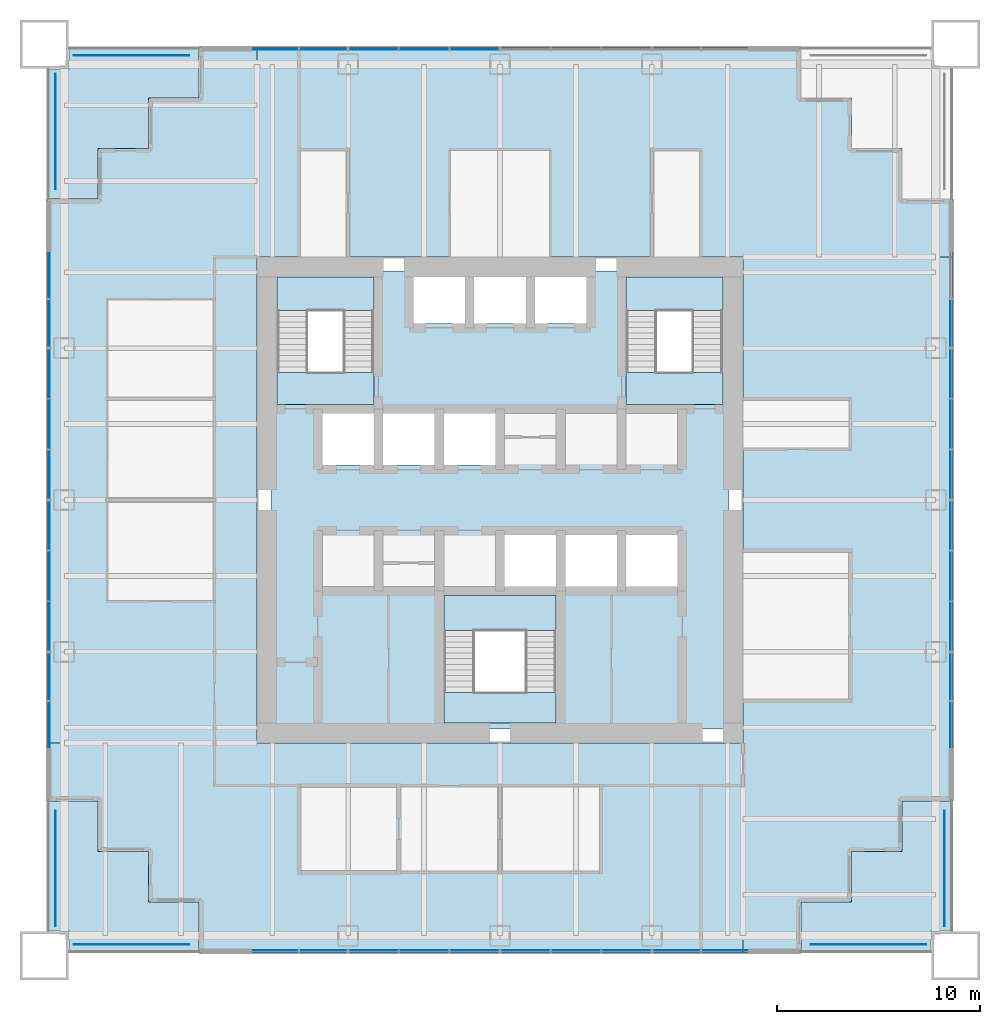
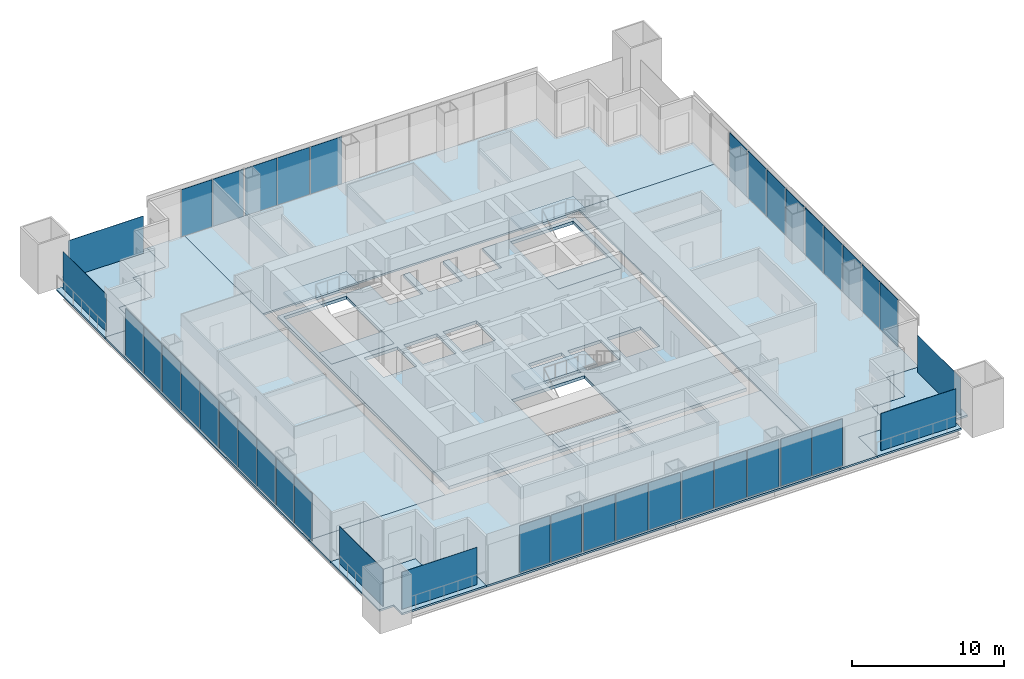
# One storey, part 7 of 13: 40 plates, 14 slabs, 17 elements without a shape of their own.
"""IFC4 building model written with IfcOpenShell, lengths in metres."""

from ifc_helpers import new_model, si_unit, direction, frame, origin, origin_2d, place, context, subcontext, project, spatial, polyline, rectangle, outline, extrude, material, layer, layer_set, type_object, element, aggregate, save


model = new_model("IFC4")

# Units and contexts
model_context = context("Model", 3, precision=1e-05, world=origin(), true_north=direction((0.0, 1.0)))
body_context = subcontext(model_context, "Body", "Model", "MODEL_VIEW")
ifc_project = project(units=[si_unit("LENGTHUNIT", "METRE"), si_unit("AREAUNIT", "SQUARE_METRE"), si_unit("VOLUMEUNIT", "CUBIC_METRE"), si_unit("PLANEANGLEUNIT", "RADIAN"), si_unit("MASSUNIT", "GRAM", prefix="KILO")], contexts=[model_context])

# Site, building, storey
site_placement = place(None, origin())
site = spatial("IfcSite", under=ifc_project, at=site_placement, CompositionType="ELEMENT")
building_placement = place(site_placement, origin())
building = spatial("IfcBuilding", under=site, at=building_placement, Name="Tarangal Relay Tower", CompositionType="ELEMENT")
storey_placement = place(building_placement, frame((0.0, 0.0, 245.89990234375)))
storey = spatial("IfcBuildingStorey", under=building, at=storey_placement, Name="L53", CompositionType="ELEMENT", Elevation=245.89990234375)

# Slabs
ifc_material_1 = material(Name="Concrete fc' 35 MPa", Category="concrete")
ifc_layer_1 = layer(ifc_material_1, 0.25)
ifc_layer_set_1 = layer_set([ifc_layer_1], Name="Core floor slab 250")
slab_type_1 = type_object("IfcSlabType", Name="Core floor slab 250", PredefinedType="FLOOR", material=ifc_layer_set_1)
slab_1_placement = place(storey_placement, frame((0.0, 0.0, -0.25)))
element("IfcSlab", 1, at=slab_1_placement, inside=storey, type_object=slab_type_1, Name="Core floor slab L53", PredefinedType="FLOOR", context=body_context, shape_type="SweptSolid", body=[
    extrude(outline(polyline([(11.300048828125, 11.300048828125), (11.300048828125, -11.300048828125), (-11.300048828125, -11.300048828125), (-11.300048828125, 11.300048828125), (-4.27490234375, 11.300048828125), (-4.27490234375, 8.72509765625), (-1.72509765625, 8.72509765625), (-1.72509765625, 11.300048828125), (-1.27490234375, 11.300048828125), (-1.27490234375, 8.72509765625), (1.27490234375, 8.72509765625), (1.27490234375, 11.300048828125), (1.72509765625, 11.300048828125), (1.72509765625, 8.72509765625), (4.27490234375, 8.72509765625), (4.27490234375, 11.300048828125), (11.300048828125, 11.300048828125)]), holes=[polyline([(-6.22509765625, 4.27490234375), (-8.77490234375, 4.27490234375), (-8.77490234375, 1.72509765625), (-6.22509765625, 1.72509765625), (-6.22509765625, 4.27490234375)]), polyline([(-3.22509765625, 1.72509765625), (-3.22509765625, 4.27490234375), (-5.77490234375, 4.27490234375), (-5.77490234375, 1.72509765625), (-3.22509765625, 1.72509765625)]), polyline([(-0.22509765625, 1.72509765625), (-0.22509765625, 4.27490234375), (-2.77490234375, 4.27490234375), (-2.77490234375, 1.72509765625), (-0.22509765625, 1.72509765625)]), polyline([(-6.22509765625, 11.0), (-11.0, 11.0), (-11.0, 4.72509765625), (-6.22509765625, 4.72509765625), (-6.22509765625, 11.0)]), polyline([(2.77490234375, -4.72509765625), (-2.77490234375, -4.72509765625), (-2.77490234375, -11.0), (2.77490234375, -11.0), (2.77490234375, -4.72509765625)]), polyline([(2.77490234375, -4.27490234375), (2.77490234375, -1.72509765625), (0.22509765625, -1.72509765625), (0.22509765625, -4.27490234375), (2.77490234375, -4.27490234375)]), polyline([(5.77490234375, -4.27490234375), (5.77490234375, -1.72509765625), (3.22509765625, -1.72509765625), (3.22509765625, -4.27490234375), (5.77490234375, -4.27490234375)]), polyline([(8.77490234375, -1.72509765625), (6.22509765625, -1.72509765625), (6.22509765625, -4.27490234375), (8.77490234375, -4.27490234375), (8.77490234375, -1.72509765625)]), polyline([(11.0, 4.72509765625), (11.0, 11.0), (6.22509765625, 11.0), (6.22509765625, 4.72509765625), (11.0, 4.72509765625)])]), origin(), (0.0, 0.0, 1.0), 0.25),
])
ifc_layer_2 = layer(ifc_material_1, 0.14990234375)
ifc_layer_set_2 = layer_set([ifc_layer_2], Name="Floor slab 150")
slab_type_2 = type_object("IfcSlabType", Name="Floor slab 150", PredefinedType="FLOOR", material=ifc_layer_set_2)
slab_2_placement = place(storey_placement, frame((0.0, 0.0, -0.14990234375)))
element("IfcSlab", 2, at=slab_2_placement, inside=storey, type_object=slab_type_2, Name="Floor slab FS3 L53 north bay", PredefinedType="FLOOR", context=body_context, shape_type="SweptSolid", body=[
    extrude(outline(polyline([(14.85009765625, 22.35009765625), (14.85009765625, 19.85009765625), (17.35009765625, 19.85009765625), (17.35009765625, 17.35009765625), (19.85009765625, 17.35009765625), (19.85009765625, 14.85009765625), (22.35009765625, 14.85009765625), (22.35009765625, 12.0), (-12.0, 12.0), (-12.0, 22.35009765625), (14.85009765625, 22.35009765625)])), origin(), (0.0, 0.0, 1.0), 0.14990234375),
])
slab_3_placement = place(storey_placement, frame((0.0, 0.0, -0.14990234375)))
element("IfcSlab", 3, at=slab_3_placement, inside=storey, type_object=slab_type_2, Name="Floor slab FS3 L53 east bay", PredefinedType="FLOOR", context=body_context, shape_type="SweptSolid", body=[
    extrude(outline(polyline([(22.35009765625, -14.85009765625), (19.85009765625, -14.85009765625), (19.85009765625, -17.35009765625), (17.35009765625, -17.35009765625), (17.35009765625, -19.85009765625), (14.85009765625, -19.85009765625), (14.85009765625, -22.35009765625), (12.0, -22.35009765625), (12.0, 12.0), (22.35009765625, 12.0), (22.35009765625, -14.85009765625)])), origin(), (0.0, 0.0, 1.0), 0.14990234375),
])
slab_4_placement = place(storey_placement, frame((0.0, 0.0, -0.14990234375)))
element("IfcSlab", 4, at=slab_4_placement, inside=storey, type_object=slab_type_2, Name="Floor slab FS3 L53 south bay", PredefinedType="FLOOR", context=body_context, shape_type="SweptSolid", body=[
    extrude(outline(polyline([(-14.85009765625, -22.35009765625), (-14.85009765625, -19.85009765625), (-17.35009765625, -19.85009765625), (-17.35009765625, -17.35009765625), (-19.85009765625, -17.35009765625), (-19.85009765625, -14.85009765625), (-22.35009765625, -14.85009765625), (-22.35009765625, -12.0), (12.0, -12.0), (12.0, -22.35009765625), (-14.85009765625, -22.35009765625)])), origin(), (0.0, 0.0, 1.0), 0.14990234375),
])
slab_5_placement = place(storey_placement, frame((0.0, 0.0, -0.14990234375)))
element("IfcSlab", 5, at=slab_5_placement, inside=storey, type_object=slab_type_2, Name="Floor slab FS3 L53 west bay", PredefinedType="FLOOR", context=body_context, shape_type="SweptSolid", body=[
    extrude(outline(polyline([(-12.0, 22.35009765625), (-12.0, -12.0), (-22.35009765625, -12.0), (-22.35009765625, 14.85009765625), (-19.85009765625, 14.85009765625), (-19.85009765625, 17.35009765625), (-17.35009765625, 17.35009765625), (-17.35009765625, 19.85009765625), (-14.85009765625, 19.85009765625), (-14.85009765625, 22.35009765625), (-12.0, 22.35009765625)])), origin(), (0.0, 0.0, 1.0), 0.14990234375),
])

# Curtain wall, plates
ifc_material_2 = material(Name="Unitised curtain wall, dark glass and black aluminium", Category="aluminium")
curtain_wall_type = type_object("IfcCurtainWallType", Name="Curtain wall CW-A", PredefinedType="USERDEFINED", material=ifc_material_2)
curtain_wall_1_placement = place(storey_placement, origin())
curtain_wall_1 = element("IfcCurtainWall", 6, at=curtain_wall_1_placement, inside=storey, type_object=curtain_wall_type, Name="Curtain wall CW-A N facade L53", ObjectType="UNITISED CURTAIN WALL", PredefinedType="USERDEFINED")
ifc_material_3 = material(Name="Dark tinted insulated glass unit", Category="glass")
ifc_layer_3 = layer(ifc_material_3, 0.031982421875)
ifc_layer_set_3 = layer_set([ifc_layer_3], Name="Glazed panel CW-A 32")
plate_type_1 = type_object("IfcPlateType", Name="Glazed panel CW-A 32", PredefinedType="CURTAIN_PANEL", material=ifc_layer_set_3)
plate_1_placement = place(storey_placement, frame((-11.108642578125, 22.25, 0.06494140625), z_axis=(0.0, 0.0, 1.0), x_axis=(1.0, 0.0, 0.0)))
plate_1 = element("IfcPlate", 7, at=plate_1_placement, type_object=plate_type_1, Name="CW-A panel 1.1", PredefinedType="CURTAIN_PANEL", context=body_context, shape_type="SweptSolid", body=[
    extrude(rectangle(XDim=2.319091796875, YDim=0.031982421875, at=origin_2d()), origin(), (0.0, 0.0, 1.0), 3.784912109375),
])
plate_2_placement = place(storey_placement, frame((-8.724609375, 22.25, 0.06494140625), z_axis=(0.0, 0.0, 1.0), x_axis=(1.0, 0.0, 0.0)))
plate_2 = element("IfcPlate", 8, at=plate_2_placement, type_object=plate_type_1, Name="CW-A panel 2.1", PredefinedType="CURTAIN_PANEL", context=body_context, shape_type="SweptSolid", body=[
    extrude(rectangle(XDim=2.319091796875, YDim=0.031982421875, at=origin_2d()), origin(), (0.0, 0.0, 1.0), 3.784912109375),
])
aggregate(curtain_wall_1, [plate_1, plate_2])

curtain_wall_2_placement = place(storey_placement, origin())
curtain_wall_2 = element("IfcCurtainWall", 9, at=curtain_wall_2_placement, inside=storey, type_object=curtain_wall_type, Name="Curtain wall CW-A N facade L53", ObjectType="UNITISED CURTAIN WALL", PredefinedType="USERDEFINED")
plate_3_placement = place(storey_placement, frame((-6.233642578125, 22.25, 0.06494140625), z_axis=(0.0, 0.0, 1.0), x_axis=(1.0, 0.0, 0.0)))
plate_3 = element("IfcPlate", 10, at=plate_3_placement, type_object=plate_type_1, Name="CW-A panel 1.1", PredefinedType="CURTAIN_PANEL", context=body_context, shape_type="SweptSolid", body=[
    extrude(rectangle(XDim=2.402587890625, YDim=0.031982421875, at=origin_2d()), origin(), (0.0, 0.0, 1.0), 3.784912109375),
])
plate_4_placement = place(storey_placement, frame((-3.75, 22.25, 0.06494140625), z_axis=(0.0, 0.0, 1.0), x_axis=(1.0, 0.0, 0.0)))
plate_4 = element("IfcPlate", 11, at=plate_4_placement, type_object=plate_type_1, Name="CW-A panel 2.1", PredefinedType="CURTAIN_PANEL", context=body_context, shape_type="SweptSolid", body=[
    extrude(rectangle(XDim=2.43505859375, YDim=0.031982421875, at=origin_2d()), origin(), (0.0, 0.0, 1.0), 3.784912109375),
])
plate_5_placement = place(storey_placement, frame((-1.266357421875, 22.25, 0.06494140625), z_axis=(0.0, 0.0, 1.0), x_axis=(1.0, 0.0, 0.0)))
plate_5 = element("IfcPlate", 12, at=plate_5_placement, type_object=plate_type_1, Name="CW-A panel 3.1", PredefinedType="CURTAIN_PANEL", context=body_context, shape_type="SweptSolid", body=[
    extrude(rectangle(XDim=2.402587890625, YDim=0.031982421875, at=origin_2d()), origin(), (0.0, 0.0, 1.0), 3.784912109375),
])
aggregate(curtain_wall_2, [plate_3, plate_4, plate_5])

# Curtain wall, plate
curtain_wall_3_placement = place(storey_placement, origin())
curtain_wall_3 = element("IfcCurtainWall", 13, at=curtain_wall_3_placement, inside=storey, type_object=curtain_wall_type, Name="Curtain wall CW-A E facade L53", ObjectType="UNITISED CURTAIN WALL", PredefinedType="USERDEFINED")
plate_6_placement = place(storey_placement, frame((22.25, 8.724609375, 0.06494140625), z_axis=(0.0, 0.0, 1.0), x_axis=(0.0, -1.0, 0.0)))
plate_6 = element("IfcPlate", 14, at=plate_6_placement, type_object=plate_type_1, Name="CW-A panel 2.1", PredefinedType="CURTAIN_PANEL", context=body_context, shape_type="SweptSolid", body=[
    extrude(rectangle(XDim=2.319091796875, YDim=0.031982421875, at=origin_2d()), origin(), (0.0, 0.0, 1.0), 3.784912109375),
])
aggregate(curtain_wall_3, [plate_6])

# Curtain wall, plates
curtain_wall_4_placement = place(storey_placement, origin())
curtain_wall_4 = element("IfcCurtainWall", 15, at=curtain_wall_4_placement, inside=storey, type_object=curtain_wall_type, Name="Curtain wall CW-A E facade L53", ObjectType="UNITISED CURTAIN WALL", PredefinedType="USERDEFINED")
plate_7_placement = place(storey_placement, frame((22.25, 6.233642578125, 0.06494140625), z_axis=(0.0, 0.0, 1.0), x_axis=(0.0, -1.0, 0.0)))
plate_7 = element("IfcPlate", 16, at=plate_7_placement, type_object=plate_type_1, Name="CW-A panel 1.1", PredefinedType="CURTAIN_PANEL", context=body_context, shape_type="SweptSolid", body=[
    extrude(rectangle(XDim=2.402587890625, YDim=0.031982421875, at=origin_2d()), origin(), (0.0, 0.0, 1.0), 3.784912109375),
])
plate_8_placement = place(storey_placement, frame((22.25, 3.75, 0.06494140625), z_axis=(0.0, 0.0, 1.0), x_axis=(0.0, -1.0, 0.0)))
plate_8 = element("IfcPlate", 17, at=plate_8_placement, type_object=plate_type_1, Name="CW-A panel 2.1", PredefinedType="CURTAIN_PANEL", context=body_context, shape_type="SweptSolid", body=[
    extrude(rectangle(XDim=2.43505859375, YDim=0.031982421875, at=origin_2d()), origin(), (0.0, 0.0, 1.0), 3.784912109375),
])
plate_9_placement = place(storey_placement, frame((22.25, 1.266357421875, 0.06494140625), z_axis=(0.0, 0.0, 1.0), x_axis=(0.0, -1.0, 0.0)))
plate_9 = element("IfcPlate", 18, at=plate_9_placement, type_object=plate_type_1, Name="CW-A panel 3.1", PredefinedType="CURTAIN_PANEL", context=body_context, shape_type="SweptSolid", body=[
    extrude(rectangle(XDim=2.402587890625, YDim=0.031982421875, at=origin_2d()), origin(), (0.0, 0.0, 1.0), 3.784912109375),
])
aggregate(curtain_wall_4, [plate_7, plate_8, plate_9])

curtain_wall_5_placement = place(storey_placement, origin())
curtain_wall_5 = element("IfcCurtainWall", 19, at=curtain_wall_5_placement, inside=storey, type_object=curtain_wall_type, Name="Curtain wall CW-A E facade L53", ObjectType="UNITISED CURTAIN WALL", PredefinedType="USERDEFINED")
plate_10_placement = place(storey_placement, frame((22.25, -1.266357421875, 0.06494140625), z_axis=(0.0, 0.0, 1.0), x_axis=(0.0, -1.0, 0.0)))
plate_10 = element("IfcPlate", 20, at=plate_10_placement, type_object=plate_type_1, Name="CW-A panel 1.1", PredefinedType="CURTAIN_PANEL", context=body_context, shape_type="SweptSolid", body=[
    extrude(rectangle(XDim=2.402587890625, YDim=0.031982421875, at=origin_2d()), origin(), (0.0, 0.0, 1.0), 3.784912109375),
])
plate_11_placement = place(storey_placement, frame((22.25, -3.75, 0.06494140625), z_axis=(0.0, 0.0, 1.0), x_axis=(0.0, -1.0, 0.0)))
plate_11 = element("IfcPlate", 21, at=plate_11_placement, type_object=plate_type_1, Name="CW-A panel 2.1", PredefinedType="CURTAIN_PANEL", context=body_context, shape_type="SweptSolid", body=[
    extrude(rectangle(XDim=2.43505859375, YDim=0.031982421875, at=origin_2d()), origin(), (0.0, 0.0, 1.0), 3.784912109375),
])
plate_12_placement = place(storey_placement, frame((22.25, -6.233642578125, 0.06494140625), z_axis=(0.0, 0.0, 1.0), x_axis=(0.0, -1.0, 0.0)))
plate_12 = element("IfcPlate", 22, at=plate_12_placement, type_object=plate_type_1, Name="CW-A panel 3.1", PredefinedType="CURTAIN_PANEL", context=body_context, shape_type="SweptSolid", body=[
    extrude(rectangle(XDim=2.402587890625, YDim=0.031982421875, at=origin_2d()), origin(), (0.0, 0.0, 1.0), 3.784912109375),
])
aggregate(curtain_wall_5, [plate_10, plate_11, plate_12])

curtain_wall_6_placement = place(storey_placement, origin())
curtain_wall_6 = element("IfcCurtainWall", 23, at=curtain_wall_6_placement, inside=storey, type_object=curtain_wall_type, Name="Curtain wall CW-A E facade L53", ObjectType="UNITISED CURTAIN WALL", PredefinedType="USERDEFINED")
plate_13_placement = place(storey_placement, frame((22.25, -8.724609375, 0.06494140625), z_axis=(0.0, 0.0, 1.0), x_axis=(0.0, -1.0, 0.0)))
plate_13 = element("IfcPlate", 24, at=plate_13_placement, type_object=plate_type_1, Name="CW-A panel 1.1", PredefinedType="CURTAIN_PANEL", context=body_context, shape_type="SweptSolid", body=[
    extrude(rectangle(XDim=2.319091796875, YDim=0.031982421875, at=origin_2d()), origin(), (0.0, 0.0, 1.0), 3.784912109375),
])
plate_14_placement = place(storey_placement, frame((22.25, -11.108642578125, 0.06494140625), z_axis=(0.0, 0.0, 1.0), x_axis=(0.0, -1.0, 0.0)))
plate_14 = element("IfcPlate", 25, at=plate_14_placement, type_object=plate_type_1, Name="CW-A panel 2.1", PredefinedType="CURTAIN_PANEL", context=body_context, shape_type="SweptSolid", body=[
    extrude(rectangle(XDim=2.319091796875, YDim=0.031982421875, at=origin_2d()), origin(), (0.0, 0.0, 1.0), 3.784912109375),
])
aggregate(curtain_wall_6, [plate_13, plate_14])

curtain_wall_7_placement = place(storey_placement, origin())
curtain_wall_7 = element("IfcCurtainWall", 26, at=curtain_wall_7_placement, inside=storey, type_object=curtain_wall_type, Name="Curtain wall CW-A S facade L53", ObjectType="UNITISED CURTAIN WALL", PredefinedType="USERDEFINED")
plate_15_placement = place(storey_placement, frame((11.108642578125, -22.25, 0.06494140625), z_axis=(0.0, 0.0, 1.0), x_axis=(-1.0, 0.0, 0.0)))
plate_15 = element("IfcPlate", 27, at=plate_15_placement, type_object=plate_type_1, Name="CW-A panel 1.1", PredefinedType="CURTAIN_PANEL", context=body_context, shape_type="SweptSolid", body=[
    extrude(rectangle(XDim=2.319091796875, YDim=0.031982421875, at=origin_2d()), origin(), (0.0, 0.0, 1.0), 3.784912109375),
])
plate_16_placement = place(storey_placement, frame((8.724609375, -22.25, 0.06494140625), z_axis=(0.0, 0.0, 1.0), x_axis=(-1.0, 0.0, 0.0)))
plate_16 = element("IfcPlate", 28, at=plate_16_placement, type_object=plate_type_1, Name="CW-A panel 2.1", PredefinedType="CURTAIN_PANEL", context=body_context, shape_type="SweptSolid", body=[
    extrude(rectangle(XDim=2.319091796875, YDim=0.031982421875, at=origin_2d()), origin(), (0.0, 0.0, 1.0), 3.784912109375),
])
aggregate(curtain_wall_7, [plate_15, plate_16])

curtain_wall_8_placement = place(storey_placement, origin())
curtain_wall_8 = element("IfcCurtainWall", 29, at=curtain_wall_8_placement, inside=storey, type_object=curtain_wall_type, Name="Curtain wall CW-A S facade L53", ObjectType="UNITISED CURTAIN WALL", PredefinedType="USERDEFINED")
plate_17_placement = place(storey_placement, frame((6.233642578125, -22.25, 0.06494140625), z_axis=(0.0, 0.0, 1.0), x_axis=(-1.0, 0.0, 0.0)))
plate_17 = element("IfcPlate", 30, at=plate_17_placement, type_object=plate_type_1, Name="CW-A panel 1.1", PredefinedType="CURTAIN_PANEL", context=body_context, shape_type="SweptSolid", body=[
    extrude(rectangle(XDim=2.402587890625, YDim=0.031982421875, at=origin_2d()), origin(), (0.0, 0.0, 1.0), 3.784912109375),
])
plate_18_placement = place(storey_placement, frame((3.75, -22.25, 0.06494140625), z_axis=(0.0, 0.0, 1.0), x_axis=(-1.0, 0.0, 0.0)))
plate_18 = element("IfcPlate", 31, at=plate_18_placement, type_object=plate_type_1, Name="CW-A panel 2.1", PredefinedType="CURTAIN_PANEL", context=body_context, shape_type="SweptSolid", body=[
    extrude(rectangle(XDim=2.43505859375, YDim=0.031982421875, at=origin_2d()), origin(), (0.0, 0.0, 1.0), 3.784912109375),
])
plate_19_placement = place(storey_placement, frame((1.266357421875, -22.25, 0.06494140625), z_axis=(0.0, 0.0, 1.0), x_axis=(-1.0, 0.0, 0.0)))
plate_19 = element("IfcPlate", 32, at=plate_19_placement, type_object=plate_type_1, Name="CW-A panel 3.1", PredefinedType="CURTAIN_PANEL", context=body_context, shape_type="SweptSolid", body=[
    extrude(rectangle(XDim=2.402587890625, YDim=0.031982421875, at=origin_2d()), origin(), (0.0, 0.0, 1.0), 3.784912109375),
])
aggregate(curtain_wall_8, [plate_17, plate_18, plate_19])

curtain_wall_9_placement = place(storey_placement, origin())
curtain_wall_9 = element("IfcCurtainWall", 33, at=curtain_wall_9_placement, inside=storey, type_object=curtain_wall_type, Name="Curtain wall CW-A S facade L53", ObjectType="UNITISED CURTAIN WALL", PredefinedType="USERDEFINED")
plate_20_placement = place(storey_placement, frame((-1.266357421875, -22.25, 0.06494140625), z_axis=(0.0, 0.0, 1.0), x_axis=(-1.0, 0.0, 0.0)))
plate_20 = element("IfcPlate", 34, at=plate_20_placement, type_object=plate_type_1, Name="CW-A panel 1.1", PredefinedType="CURTAIN_PANEL", context=body_context, shape_type="SweptSolid", body=[
    extrude(rectangle(XDim=2.402587890625, YDim=0.031982421875, at=origin_2d()), origin(), (0.0, 0.0, 1.0), 3.784912109375),
])
plate_21_placement = place(storey_placement, frame((-3.75, -22.25, 0.06494140625), z_axis=(0.0, 0.0, 1.0), x_axis=(-1.0, 0.0, 0.0)))
plate_21 = element("IfcPlate", 35, at=plate_21_placement, type_object=plate_type_1, Name="CW-A panel 2.1", PredefinedType="CURTAIN_PANEL", context=body_context, shape_type="SweptSolid", body=[
    extrude(rectangle(XDim=2.43505859375, YDim=0.031982421875, at=origin_2d()), origin(), (0.0, 0.0, 1.0), 3.784912109375),
])
plate_22_placement = place(storey_placement, frame((-6.233642578125, -22.25, 0.06494140625), z_axis=(0.0, 0.0, 1.0), x_axis=(-1.0, 0.0, 0.0)))
plate_22 = element("IfcPlate", 36, at=plate_22_placement, type_object=plate_type_1, Name="CW-A panel 3.1", PredefinedType="CURTAIN_PANEL", context=body_context, shape_type="SweptSolid", body=[
    extrude(rectangle(XDim=2.402587890625, YDim=0.031982421875, at=origin_2d()), origin(), (0.0, 0.0, 1.0), 3.784912109375),
])
aggregate(curtain_wall_9, [plate_20, plate_21, plate_22])

curtain_wall_10_placement = place(storey_placement, origin())
curtain_wall_10 = element("IfcCurtainWall", 37, at=curtain_wall_10_placement, inside=storey, type_object=curtain_wall_type, Name="Curtain wall CW-A S facade L53", ObjectType="UNITISED CURTAIN WALL", PredefinedType="USERDEFINED")
plate_23_placement = place(storey_placement, frame((-8.724609375, -22.25, 0.06494140625), z_axis=(0.0, 0.0, 1.0), x_axis=(-1.0, 0.0, 0.0)))
plate_23 = element("IfcPlate", 38, at=plate_23_placement, type_object=plate_type_1, Name="CW-A panel 1.1", PredefinedType="CURTAIN_PANEL", context=body_context, shape_type="SweptSolid", body=[
    extrude(rectangle(XDim=2.319091796875, YDim=0.031982421875, at=origin_2d()), origin(), (0.0, 0.0, 1.0), 3.784912109375),
])
plate_24_placement = place(storey_placement, frame((-11.108642578125, -22.25, 0.06494140625), z_axis=(0.0, 0.0, 1.0), x_axis=(-1.0, 0.0, 0.0)))
plate_24 = element("IfcPlate", 39, at=plate_24_placement, type_object=plate_type_1, Name="CW-A panel 2.1", PredefinedType="CURTAIN_PANEL", context=body_context, shape_type="SweptSolid", body=[
    extrude(rectangle(XDim=2.319091796875, YDim=0.031982421875, at=origin_2d()), origin(), (0.0, 0.0, 1.0), 3.784912109375),
])
aggregate(curtain_wall_10, [plate_23, plate_24])

curtain_wall_11_placement = place(storey_placement, origin())
curtain_wall_11 = element("IfcCurtainWall", 40, at=curtain_wall_11_placement, inside=storey, type_object=curtain_wall_type, Name="Curtain wall CW-A W facade L53", ObjectType="UNITISED CURTAIN WALL", PredefinedType="USERDEFINED")
plate_25_placement = place(storey_placement, frame((-22.25, -11.108642578125, 0.06494140625), z_axis=(0.0, 0.0, 1.0), x_axis=(0.0, 1.0, 0.0)))
plate_25 = element("IfcPlate", 41, at=plate_25_placement, type_object=plate_type_1, Name="CW-A panel 1.1", PredefinedType="CURTAIN_PANEL", context=body_context, shape_type="SweptSolid", body=[
    extrude(rectangle(XDim=2.319091796875, YDim=0.031982421875, at=origin_2d()), origin(), (0.0, 0.0, 1.0), 3.784912109375),
])
plate_26_placement = place(storey_placement, frame((-22.25, -8.724609375, 0.06494140625), z_axis=(0.0, 0.0, 1.0), x_axis=(0.0, 1.0, 0.0)))
plate_26 = element("IfcPlate", 42, at=plate_26_placement, type_object=plate_type_1, Name="CW-A panel 2.1", PredefinedType="CURTAIN_PANEL", context=body_context, shape_type="SweptSolid", body=[
    extrude(rectangle(XDim=2.319091796875, YDim=0.031982421875, at=origin_2d()), origin(), (0.0, 0.0, 1.0), 3.784912109375),
])
aggregate(curtain_wall_11, [plate_25, plate_26])

curtain_wall_12_placement = place(storey_placement, origin())
curtain_wall_12 = element("IfcCurtainWall", 43, at=curtain_wall_12_placement, inside=storey, type_object=curtain_wall_type, Name="Curtain wall CW-A W facade L53", ObjectType="UNITISED CURTAIN WALL", PredefinedType="USERDEFINED")
plate_27_placement = place(storey_placement, frame((-22.25, -6.233642578125, 0.06494140625), z_axis=(0.0, 0.0, 1.0), x_axis=(0.0, 1.0, 0.0)))
plate_27 = element("IfcPlate", 44, at=plate_27_placement, type_object=plate_type_1, Name="CW-A panel 1.1", PredefinedType="CURTAIN_PANEL", context=body_context, shape_type="SweptSolid", body=[
    extrude(rectangle(XDim=2.402587890625, YDim=0.031982421875, at=origin_2d()), origin(), (0.0, 0.0, 1.0), 3.784912109375),
])
plate_28_placement = place(storey_placement, frame((-22.25, -3.75, 0.06494140625), z_axis=(0.0, 0.0, 1.0), x_axis=(0.0, 1.0, 0.0)))
plate_28 = element("IfcPlate", 45, at=plate_28_placement, type_object=plate_type_1, Name="CW-A panel 2.1", PredefinedType="CURTAIN_PANEL", context=body_context, shape_type="SweptSolid", body=[
    extrude(rectangle(XDim=2.43505859375, YDim=0.031982421875, at=origin_2d()), origin(), (0.0, 0.0, 1.0), 3.784912109375),
])
plate_29_placement = place(storey_placement, frame((-22.25, -1.266357421875, 0.06494140625), z_axis=(0.0, 0.0, 1.0), x_axis=(0.0, 1.0, 0.0)))
plate_29 = element("IfcPlate", 46, at=plate_29_placement, type_object=plate_type_1, Name="CW-A panel 3.1", PredefinedType="CURTAIN_PANEL", context=body_context, shape_type="SweptSolid", body=[
    extrude(rectangle(XDim=2.402587890625, YDim=0.031982421875, at=origin_2d()), origin(), (0.0, 0.0, 1.0), 3.784912109375),
])
aggregate(curtain_wall_12, [plate_27, plate_28, plate_29])

curtain_wall_13_placement = place(storey_placement, origin())
curtain_wall_13 = element("IfcCurtainWall", 47, at=curtain_wall_13_placement, inside=storey, type_object=curtain_wall_type, Name="Curtain wall CW-A W facade L53", ObjectType="UNITISED CURTAIN WALL", PredefinedType="USERDEFINED")
plate_30_placement = place(storey_placement, frame((-22.25, 1.266357421875, 0.06494140625), z_axis=(0.0, 0.0, 1.0), x_axis=(0.0, 1.0, 0.0)))
plate_30 = element("IfcPlate", 48, at=plate_30_placement, type_object=plate_type_1, Name="CW-A panel 1.1", PredefinedType="CURTAIN_PANEL", context=body_context, shape_type="SweptSolid", body=[
    extrude(rectangle(XDim=2.402587890625, YDim=0.031982421875, at=origin_2d()), origin(), (0.0, 0.0, 1.0), 3.784912109375),
])
plate_31_placement = place(storey_placement, frame((-22.25, 3.75, 0.06494140625), z_axis=(0.0, 0.0, 1.0), x_axis=(0.0, 1.0, 0.0)))
plate_31 = element("IfcPlate", 49, at=plate_31_placement, type_object=plate_type_1, Name="CW-A panel 2.1", PredefinedType="CURTAIN_PANEL", context=body_context, shape_type="SweptSolid", body=[
    extrude(rectangle(XDim=2.43505859375, YDim=0.031982421875, at=origin_2d()), origin(), (0.0, 0.0, 1.0), 3.784912109375),
])
plate_32_placement = place(storey_placement, frame((-22.25, 6.233642578125, 0.06494140625), z_axis=(0.0, 0.0, 1.0), x_axis=(0.0, 1.0, 0.0)))
plate_32 = element("IfcPlate", 50, at=plate_32_placement, type_object=plate_type_1, Name="CW-A panel 3.1", PredefinedType="CURTAIN_PANEL", context=body_context, shape_type="SweptSolid", body=[
    extrude(rectangle(XDim=2.402587890625, YDim=0.031982421875, at=origin_2d()), origin(), (0.0, 0.0, 1.0), 3.784912109375),
])
aggregate(curtain_wall_13, [plate_30, plate_31, plate_32])

curtain_wall_14_placement = place(storey_placement, origin())
curtain_wall_14 = element("IfcCurtainWall", 51, at=curtain_wall_14_placement, inside=storey, type_object=curtain_wall_type, Name="Curtain wall CW-A W facade L53", ObjectType="UNITISED CURTAIN WALL", PredefinedType="USERDEFINED")
plate_33_placement = place(storey_placement, frame((-22.25, 8.724609375, 0.06494140625), z_axis=(0.0, 0.0, 1.0), x_axis=(0.0, 1.0, 0.0)))
plate_33 = element("IfcPlate", 52, at=plate_33_placement, type_object=plate_type_1, Name="CW-A panel 1.1", PredefinedType="CURTAIN_PANEL", context=body_context, shape_type="SweptSolid", body=[
    extrude(rectangle(XDim=2.319091796875, YDim=0.031982421875, at=origin_2d()), origin(), (0.0, 0.0, 1.0), 3.784912109375),
])
plate_34_placement = place(storey_placement, frame((-22.25, 11.108642578125, 0.06494140625), z_axis=(0.0, 0.0, 1.0), x_axis=(0.0, 1.0, 0.0)))
plate_34 = element("IfcPlate", 53, at=plate_34_placement, type_object=plate_type_1, Name="CW-A panel 2.1", PredefinedType="CURTAIN_PANEL", context=body_context, shape_type="SweptSolid", body=[
    extrude(rectangle(XDim=2.319091796875, YDim=0.031982421875, at=origin_2d()), origin(), (0.0, 0.0, 1.0), 3.784912109375),
])
aggregate(curtain_wall_14, [plate_33, plate_34])

# Plates
ifc_material_4 = material(Name="Black stainless steel cable trellis with climbing planting", Category="steel")
ifc_layer_4 = layer(ifc_material_4, 0.030029296875)
ifc_layer_set_4 = layer_set([ifc_layer_4], Name="Planted trellis screen")
plate_type_2 = type_object("IfcPlateType", Name="Planted trellis screen", PredefinedType="SHEET", material=ifc_layer_set_4)
for number, where, z_axis, x_axis, name in (
    (54, (18.199951171875, -21.949951171875, 0.0), (0.0, 0.0, 1.0), (-1.0, 0.0, 0.0), "Planted trellis SC2 SE L53"),
    (55, (-21.949951171875, -18.199951171875, 0.0), (0.0, 0.0, 1.0), (0.0, 1.0, 0.0), "Planted trellis SC2 SW L53"),
    (56, (-18.199951171875, 21.949951171875, 0.0), (0.0, 0.0, 1.0), (1.0, 0.0, 0.0), "Planted trellis SC2 NW L53"),
):
    element("IfcPlate", number, at=place(storey_placement, frame(where, z_axis=z_axis, x_axis=x_axis)), inside=storey, type_object=plate_type_2, Name=name, PredefinedType="SHEET", context=body_context, shape_type="SweptSolid", body=[
        extrude(rectangle(XDim=5.699951171875, YDim=0.030029296875, at=origin_2d()), origin(), (0.0, 0.0, 1.0), 3.0),
    ])

# Stair, slabs
ifc_material_5 = material(Name="Steel ASTM A992 stair flight", Category="steel")
stair_type = type_object("IfcStairType", Name="Core stair 1500", PredefinedType="HALF_TURN_STAIR", material=ifc_material_5)
stair_1_placement = place(storey_placement, origin())
stair_1 = element("IfcStair", 57, at=stair_1_placement, inside=storey, type_object=stair_type, Name="Stair ST-A L53", PredefinedType="HALF_TURN_STAIR")
ifc_layer_5 = layer(ifc_material_1, 0.199951171875)
ifc_layer_set_5 = layer_set([ifc_layer_5], Name="Stair landing 200")
slab_type_3 = type_object("IfcSlabType", Name="Stair landing 200", PredefinedType="LANDING", material=ifc_layer_set_5)
slab_6_placement = place(storey_placement, frame((0.0, 0.0, -0.199951171875)))
slab_6 = element("IfcSlab", 58, at=slab_6_placement, type_object=slab_type_3, Name="ST-A landing 1", PredefinedType="LANDING", context=body_context, shape_type="SweptSolid", body=[
    extrude(outline(polyline([(-11.0, 4.72509765625), (-6.22509765625, 4.72509765625), (-6.22509765625, 6.300048828125), (-11.0, 6.300048828125), (-11.0, 4.72509765625)])), origin(), (0.0, 0.0, 1.0), 0.199951171875),
])
slab_7_placement = place(storey_placement, frame((0.0, 0.0, 1.800048828125)))
slab_7 = element("IfcSlab", 59, at=slab_7_placement, type_object=slab_type_3, Name="ST-A landing 2", PredefinedType="LANDING", context=body_context, shape_type="SweptSolid", body=[
    extrude(outline(polyline([(-11.0, 9.346923828125), (-6.22509765625, 9.346923828125), (-6.22509765625, 11.0), (-11.0, 11.0), (-11.0, 9.346923828125)])), origin(), (0.0, 0.0, 1.0), 0.199951171875),
])
aggregate(stair_1, [slab_6, slab_7])

stair_2_placement = place(storey_placement, origin())
stair_2 = element("IfcStair", 60, at=stair_2_placement, inside=storey, type_object=stair_type, Name="Stair ST-B L53", PredefinedType="HALF_TURN_STAIR")
slab_8_placement = place(storey_placement, frame((0.0, 0.0, -0.199951171875)))
slab_8 = element("IfcSlab", 61, at=slab_8_placement, type_object=slab_type_3, Name="ST-B landing 1", PredefinedType="LANDING", context=body_context, shape_type="SweptSolid", body=[
    extrude(outline(polyline([(6.22509765625, 4.72509765625), (11.0, 4.72509765625), (11.0, 6.300048828125), (6.22509765625, 6.300048828125), (6.22509765625, 4.72509765625)])), origin(), (0.0, 0.0, 1.0), 0.199951171875),
])
slab_9_placement = place(storey_placement, frame((0.0, 0.0, 1.800048828125)))
slab_9 = element("IfcSlab", 62, at=slab_9_placement, type_object=slab_type_3, Name="ST-B landing 2", PredefinedType="LANDING", context=body_context, shape_type="SweptSolid", body=[
    extrude(outline(polyline([(6.22509765625, 9.346923828125), (11.0, 9.346923828125), (11.0, 11.0), (6.22509765625, 11.0), (6.22509765625, 9.346923828125)])), origin(), (0.0, 0.0, 1.0), 0.199951171875),
])
aggregate(stair_2, [slab_8, slab_9])

stair_3_placement = place(storey_placement, origin())
stair_3 = element("IfcStair", 63, at=stair_3_placement, inside=storey, type_object=stair_type, Name="Stair ST-C L53", PredefinedType="HALF_TURN_STAIR")
slab_10_placement = place(storey_placement, frame((0.0, 0.0, -0.199951171875)))
slab_10 = element("IfcSlab", 64, at=slab_10_placement, type_object=slab_type_3, Name="ST-C landing 1", PredefinedType="LANDING", context=body_context, shape_type="SweptSolid", body=[
    extrude(outline(polyline([(-2.77490234375, -11.0), (2.77490234375, -11.0), (2.77490234375, -9.5), (-2.77490234375, -9.5), (-2.77490234375, -11.0)])), origin(), (0.0, 0.0, 1.0), 0.199951171875),
])
slab_11_placement = place(storey_placement, frame((0.0, 0.0, 1.800048828125)))
slab_11 = element("IfcSlab", 65, at=slab_11_placement, type_object=slab_type_3, Name="ST-C landing 2", PredefinedType="LANDING", context=body_context, shape_type="SweptSolid", body=[
    extrude(outline(polyline([(-2.77490234375, -6.452880859375), (2.77490234375, -6.452880859375), (2.77490234375, -4.72509765625), (-2.77490234375, -4.72509765625), (-2.77490234375, -6.452880859375)])), origin(), (0.0, 0.0, 1.0), 0.199951171875),
])
aggregate(stair_3, [slab_10, slab_11])

# Plates
ifc_material_6 = material(Name="Perforated black aluminium screen", Category="aluminium")
ifc_layer_6 = layer(ifc_material_6, 0.02001953125)
ifc_layer_set_6 = layer_set([ifc_layer_6], Name="Terrace screen panel")
plate_type_3 = type_object("IfcPlateType", Name="Terrace screen panel", PredefinedType="SHEET", material=ifc_layer_set_6)
for number, where, z_axis, x_axis, name in (
    (66, (21.949951171875, -18.199951171875, 0.0), (0.0, 0.0, 1.0), (0.0, -1.0, 0.0), "Terrace screen SC1 SE L53"),
    (67, (-18.199951171875, -21.949951171875, 0.0), (0.0, 0.0, 1.0), (-1.0, 0.0, 0.0), "Terrace screen SC1 SW L53"),
    (68, (-21.949951171875, 18.199951171875, 0.0), (0.0, 0.0, 1.0), (0.0, 1.0, 0.0), "Terrace screen SC1 NW L53"),
):
    element("IfcPlate", number, at=place(storey_placement, frame(where, z_axis=z_axis, x_axis=x_axis)), inside=storey, type_object=plate_type_3, Name=name, PredefinedType="SHEET", context=body_context, shape_type="SweptSolid", body=[
        extrude(rectangle(XDim=5.699951171875, YDim=0.02001953125, at=origin_2d()), origin(), (0.0, 0.0, 1.0), 3.0),
    ])

# Slabs
ifc_layer_7 = layer(ifc_material_1, 0.14990234375)
ifc_layer_set_7 = layer_set([ifc_layer_7], Name="Terrace slab 150")
slab_type_4 = type_object("IfcSlabType", Name="Terrace slab 150", PredefinedType="FLOOR", material=ifc_layer_set_7)
slab_12_placement = place(storey_placement, frame((0.0, 0.0, -0.14990234375)))
element("IfcSlab", 69, at=slab_12_placement, inside=storey, type_object=slab_type_4, Name="Corner terrace SE L53", PredefinedType="FLOOR", context=body_context, shape_type="SweptSolid", body=[
    extrude(outline(polyline([(22.35009765625, -14.85009765625), (19.85009765625, -14.85009765625), (19.85009765625, -17.35009765625), (17.35009765625, -17.35009765625), (17.35009765625, -19.85009765625), (14.85009765625, -19.85009765625), (14.85009765625, -22.35009765625), (21.25, -22.35009765625), (21.25, -21.25), (22.35009765625, -21.25), (22.35009765625, -14.85009765625)])), origin(), (0.0, 0.0, 1.0), 0.14990234375),
])
slab_13_placement = place(storey_placement, frame((0.0, 0.0, -0.14990234375)))
element("IfcSlab", 70, at=slab_13_placement, inside=storey, type_object=slab_type_4, Name="Corner terrace SW L53", PredefinedType="FLOOR", context=body_context, shape_type="SweptSolid", body=[
    extrude(outline(polyline([(-14.85009765625, -22.35009765625), (-14.85009765625, -19.85009765625), (-17.35009765625, -19.85009765625), (-17.35009765625, -17.35009765625), (-19.85009765625, -17.35009765625), (-19.85009765625, -14.85009765625), (-22.35009765625, -14.85009765625), (-22.35009765625, -21.25), (-21.25, -21.25), (-21.25, -22.35009765625), (-14.85009765625, -22.35009765625)])), origin(), (0.0, 0.0, 1.0), 0.14990234375),
])
slab_14_placement = place(storey_placement, frame((0.0, 0.0, -0.14990234375)))
element("IfcSlab", 71, at=slab_14_placement, inside=storey, type_object=slab_type_4, Name="Corner terrace NW L53", PredefinedType="FLOOR", context=body_context, shape_type="SweptSolid", body=[
    extrude(outline(polyline([(-22.35009765625, 14.85009765625), (-19.85009765625, 14.85009765625), (-19.85009765625, 17.35009765625), (-17.35009765625, 17.35009765625), (-17.35009765625, 19.85009765625), (-14.85009765625, 19.85009765625), (-14.85009765625, 22.35009765625), (-21.25, 22.35009765625), (-21.25, 21.25), (-22.35009765625, 21.25), (-22.35009765625, 14.85009765625)])), origin(), (0.0, 0.0, 1.0), 0.14990234375),
])

save(model, "model.ifc")
